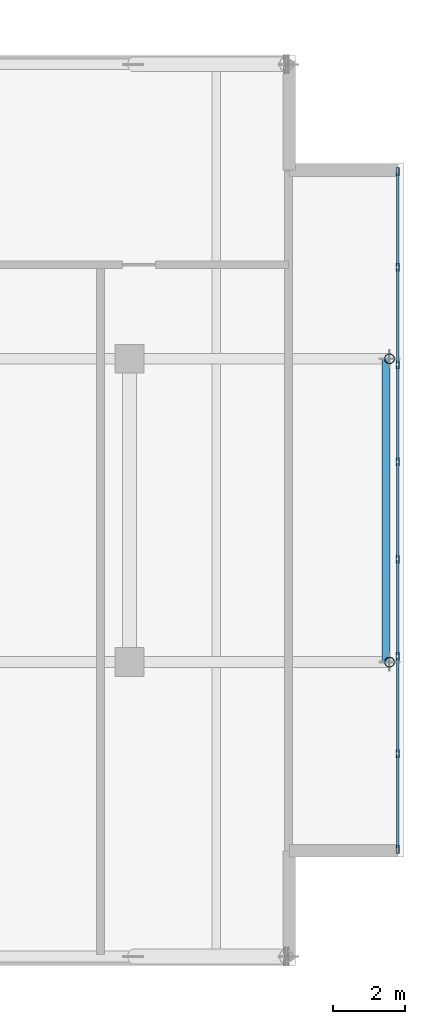
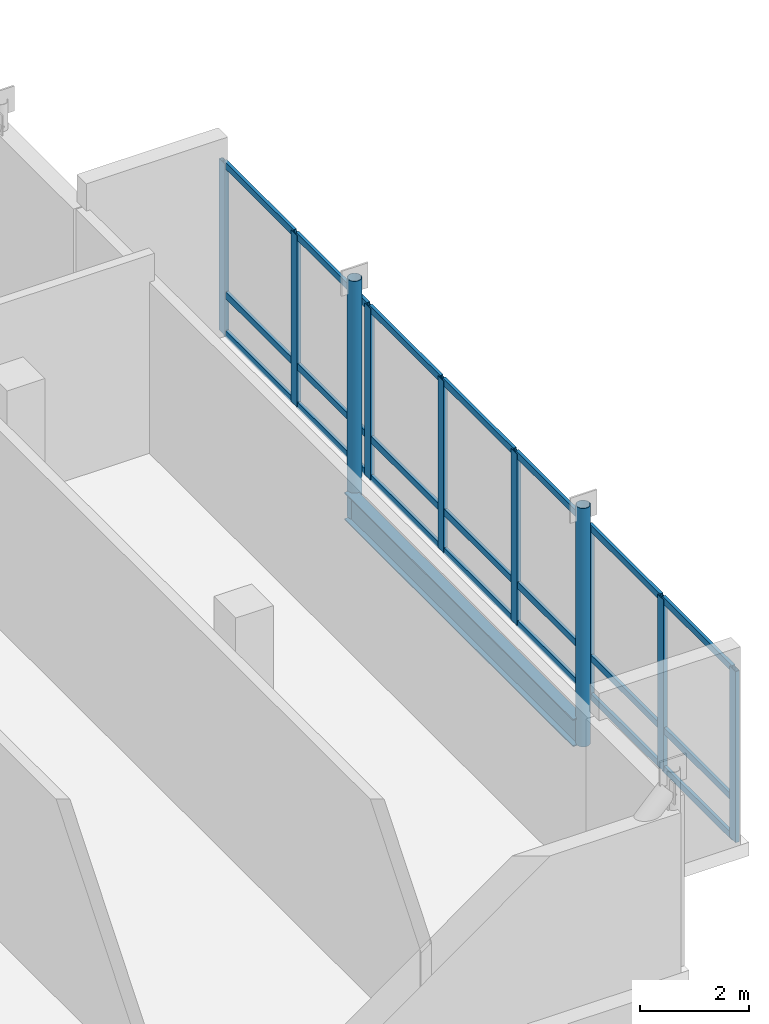
# One storey, part 6 of 18: 31 members, 1 beam, 1 element without a shape of its own.
"""IFC4 building model written with IfcOpenShell, lengths in metres."""

from ifc_helpers import new_model, si_unit, direction, frame, origin, origin_2d, place, context, subcontext, project, spatial, hollow_rectangle, hollow_circle, i_section, extrude, material, layer, layer_set, material_profile, profile_set, type_object, element, aggregate, save


model = new_model("IFC4")

# Units and contexts
model_context = context("Model", 3, precision=1e-05, world=origin(), true_north=direction((0.0, 1.0)))
body_context = subcontext(model_context, "Body", "Model", "MODEL_VIEW")
ifc_project = project(units=[si_unit("LENGTHUNIT", "METRE"), si_unit("AREAUNIT", "SQUARE_METRE"), si_unit("VOLUMEUNIT", "CUBIC_METRE"), si_unit("PLANEANGLEUNIT", "RADIAN"), si_unit("MASSUNIT", "GRAM", prefix="KILO")], contexts=[model_context])

# Site, building, storey
site_placement = place(None, origin())
site = spatial("IfcSite", under=ifc_project, at=site_placement, CompositionType="ELEMENT")
building_placement = place(site_placement, origin())
building = spatial("IfcBuilding", under=site, at=building_placement, Name="Koriwani Terraces Tower", CompositionType="ELEMENT")
storey_placement = place(building_placement, frame((0.0, 0.0, 363.800048828125)))
storey = spatial("IfcBuildingStorey", under=building, at=storey_placement, Name="L90", CompositionType="ELEMENT", Elevation=363.800048828125)

# Members
ifc_material_1 = material(Name="Steel ASTM A572 Grade 50", Category="steel")
ifc_material_profile_1 = material_profile(ifc_material_1, hollow_circle(Radius=0.136474609375, WallThickness=0.010009765625, at=origin_2d()), Name="Steel ASTM A572 Grade 50", Category="LoadBearing")
ifc_profile_set_1 = profile_set([ifc_material_profile_1], Name="Steel ASTM A572 Grade 50")
member_type_1 = type_object("IfcMemberType", Name="CROWN_FRAME_BRACE_CHS273X10", PredefinedType="USERDEFINED", material=ifc_profile_set_1)
for number, where, z_axis, x_axis, name in (
    (1, (74.39990234375, 16.800048828125, -0.900146484375), (0.0, 0.0, 1.0), (1.0, 0.0, 0.0), "L90 Sky-Lounge Tip Hanger Strut TP-01"),
    (2, (74.39990234375, 25.199951171875, -0.900146484375), (0.0, 0.0, 1.0), (1.0, 0.0, 0.0), "L90 Sky-Lounge Tip Hanger Strut TP-02"),
):
    element("IfcMember", number, at=place(storey_placement, frame(where, z_axis=z_axis, x_axis=x_axis)), inside=storey, type_object=member_type_1, Name=name, ObjectType="CROWN FRAME", PredefinedType="USERDEFINED", context=body_context, shape_type="SweptSolid", body=[
        extrude(hollow_circle(Radius=0.136474609375, WallThickness=0.010009765625, at=origin_2d()), origin(), (0.0, 0.0, 1.0), 5.35009765625),
    ])

# Curtain wall, members
ifc_material_2 = material(Name="Anodised Bronze Aluminium", Category="aluminium")
ifc_layer = layer(ifc_material_2, 0.219970703125, Name="Anodised Bronze Aluminium")
ifc_layer_set = layer_set([ifc_layer], Name="Anodised Bronze Aluminium")
curtain_wall_type = type_object("IfcCurtainWallType", Name="CW_SKY_LOUNGE", PredefinedType="NOTDEFINED", material=ifc_layer_set)
curtain_wall_placement = place(storey_placement, origin())
curtain_wall = element("IfcCurtainWall", 3, at=curtain_wall_placement, inside=storey, type_object=curtain_wall_type, Name="L90 Unitised Curtain Wall (E_TIP)", PredefinedType="NOTDEFINED")
ifc_material_profile_2 = material_profile(ifc_material_2, hollow_rectangle(XDim=0.0849609375, YDim=0.219970703125, WallThickness=0.008056640625, at=origin_2d()), Name="Anodised Bronze Aluminium", Category="LoadBearing")
ifc_profile_set_2 = profile_set([ifc_material_profile_2], Name="Anodised Bronze Aluminium")
member_type_2 = type_object("IfcMemberType", Name="CW_MULLION_220X85", PredefinedType="MULLION", material=ifc_profile_set_2)
member_1_placement = place(storey_placement, frame((74.625, 30.382568359375, 0.0), z_axis=(0.0, 0.0, 1.0), x_axis=(1.0, 0.0, 0.0)))
member_1 = element("IfcMember", 4, at=member_1_placement, type_object=member_type_2, Name="CW-SKY mullion 1", PredefinedType="MULLION", context=body_context, shape_type="SweptSolid", body=[
    extrude(hollow_rectangle(XDim=0.0849609375, YDim=0.219970703125, WallThickness=0.008056640625, at=origin_2d()), origin(), (0.0, 0.0, 1.0), 3.8388671875),
])
member_2_placement = place(storey_placement, frame((74.625, 27.732177734375, 0.0), z_axis=(0.0, 0.0, 1.0), x_axis=(1.0, 0.0, 0.0)))
member_2 = element("IfcMember", 5, at=member_2_placement, type_object=member_type_2, Name="CW-SKY mullion 2", PredefinedType="MULLION", context=body_context, shape_type="SweptSolid", body=[
    extrude(hollow_rectangle(XDim=0.0849609375, YDim=0.219970703125, WallThickness=0.008056640625, at=origin_2d()), origin(), (0.0, 0.0, 1.0), 3.8388671875),
])
member_3_placement = place(storey_placement, frame((74.625, 25.039306640625, 0.0), z_axis=(0.0, 0.0, 1.0), x_axis=(1.0, 0.0, 0.0)))
member_3 = element("IfcMember", 6, at=member_3_placement, type_object=member_type_2, Name="CW-SKY mullion 3", PredefinedType="MULLION", context=body_context, shape_type="SweptSolid", body=[
    extrude(hollow_rectangle(XDim=0.0849609375, YDim=0.219970703125, WallThickness=0.008056640625, at=origin_2d()), origin(), (0.0, 0.0, 1.0), 3.8388671875),
])
member_4_placement = place(storey_placement, frame((74.625, 22.346435546875, 0.0), z_axis=(0.0, 0.0, 1.0), x_axis=(1.0, 0.0, 0.0)))
member_4 = element("IfcMember", 7, at=member_4_placement, type_object=member_type_2, Name="CW-SKY mullion 4", PredefinedType="MULLION", context=body_context, shape_type="SweptSolid", body=[
    extrude(hollow_rectangle(XDim=0.0849609375, YDim=0.219970703125, WallThickness=0.008056640625, at=origin_2d()), origin(), (0.0, 0.0, 1.0), 3.8388671875),
])
member_5_placement = place(storey_placement, frame((74.625, 19.653564453125, 0.0), z_axis=(0.0, 0.0, 1.0), x_axis=(1.0, 0.0, 0.0)))
member_5 = element("IfcMember", 8, at=member_5_placement, type_object=member_type_2, Name="CW-SKY mullion 5", PredefinedType="MULLION", context=body_context, shape_type="SweptSolid", body=[
    extrude(hollow_rectangle(XDim=0.0849609375, YDim=0.219970703125, WallThickness=0.008056640625, at=origin_2d()), origin(), (0.0, 0.0, 1.0), 3.8388671875),
])
member_6_placement = place(storey_placement, frame((74.625, 16.960693359375, 0.0), z_axis=(0.0, 0.0, 1.0), x_axis=(1.0, 0.0, 0.0)))
member_6 = element("IfcMember", 9, at=member_6_placement, type_object=member_type_2, Name="CW-SKY mullion 6", PredefinedType="MULLION", context=body_context, shape_type="SweptSolid", body=[
    extrude(hollow_rectangle(XDim=0.0849609375, YDim=0.219970703125, WallThickness=0.008056640625, at=origin_2d()), origin(), (0.0, 0.0, 1.0), 3.8388671875),
])
member_7_placement = place(storey_placement, frame((74.625, 14.267822265625, 0.0), z_axis=(0.0, 0.0, 1.0), x_axis=(1.0, 0.0, 0.0)))
member_7 = element("IfcMember", 10, at=member_7_placement, type_object=member_type_2, Name="CW-SKY mullion 7", PredefinedType="MULLION", context=body_context, shape_type="SweptSolid", body=[
    extrude(hollow_rectangle(XDim=0.0849609375, YDim=0.219970703125, WallThickness=0.008056640625, at=origin_2d()), origin(), (0.0, 0.0, 1.0), 3.8388671875),
])
member_8_placement = place(storey_placement, frame((74.625, 11.617431640625, 0.0), z_axis=(0.0, 0.0, 1.0), x_axis=(1.0, 0.0, 0.0)))
member_8 = element("IfcMember", 11, at=member_8_placement, type_object=member_type_2, Name="CW-SKY mullion 8", PredefinedType="MULLION", context=body_context, shape_type="SweptSolid", body=[
    extrude(hollow_rectangle(XDim=0.0849609375, YDim=0.219970703125, WallThickness=0.008056640625, at=origin_2d()), origin(), (0.0, 0.0, 1.0), 3.8388671875),
])
ifc_material_profile_3 = material_profile(ifc_material_2, hollow_rectangle(XDim=0.06494140625, YDim=0.14990234375, WallThickness=0.0048828125, at=origin_2d()), Name="Anodised Bronze Aluminium", Category="LoadBearing")
ifc_profile_set_3 = profile_set([ifc_material_profile_3], Name="Anodised Bronze Aluminium")
member_type_3 = type_object("IfcMemberType", Name="CW_TRANSOM_150X65", PredefinedType="USERDEFINED", material=ifc_profile_set_3)
member_9_placement = place(storey_placement, frame((74.625, 30.340087890625, 0.032470703125), z_axis=(0.0, -1.0, 0.0), x_axis=(1.0, 0.0, 0.0)))
member_9 = element("IfcMember", 12, at=member_9_placement, type_object=member_type_3, Name="CW-SKY transom 1.1", ObjectType="TRANSOM", PredefinedType="USERDEFINED", context=body_context, shape_type="SweptSolid", body=[
    extrude(hollow_rectangle(XDim=0.06494140625, YDim=0.14990234375, WallThickness=0.0048828125, at=origin_2d()), origin(), (0.0, 0.0, 1.0), 2.5654296875),
])
member_10_placement = place(storey_placement, frame((74.625, 30.340087890625, 0.89990234375), z_axis=(0.0, -1.0, 0.0), x_axis=(1.0, 0.0, 0.0)))
member_10 = element("IfcMember", 13, at=member_10_placement, type_object=member_type_3, Name="CW-SKY transom 1.2", ObjectType="TRANSOM", PredefinedType="USERDEFINED", context=body_context, shape_type="SweptSolid", body=[
    extrude(hollow_rectangle(XDim=0.06494140625, YDim=0.14990234375, WallThickness=0.0048828125, at=origin_2d()), origin(), (0.0, 0.0, 1.0), 2.5654296875),
])
member_11_placement = place(storey_placement, frame((74.625, 30.340087890625, 3.806396484375), z_axis=(0.0, -1.0, 0.0), x_axis=(1.0, 0.0, 0.0)))
member_11 = element("IfcMember", 14, at=member_11_placement, type_object=member_type_3, Name="CW-SKY transom 1.3", ObjectType="TRANSOM", PredefinedType="USERDEFINED", context=body_context, shape_type="SweptSolid", body=[
    extrude(hollow_rectangle(XDim=0.06494140625, YDim=0.14990234375, WallThickness=0.0048828125, at=origin_2d()), origin(), (0.0, 0.0, 1.0), 2.5654296875),
])
member_12_placement = place(storey_placement, frame((74.625, 27.689697265625, 0.032470703125), z_axis=(0.0, -1.0, 0.0), x_axis=(1.0, 0.0, 0.0)))
member_12 = element("IfcMember", 15, at=member_12_placement, type_object=member_type_3, Name="CW-SKY transom 2.1", ObjectType="TRANSOM", PredefinedType="USERDEFINED", context=body_context, shape_type="SweptSolid", body=[
    extrude(hollow_rectangle(XDim=0.06494140625, YDim=0.14990234375, WallThickness=0.0048828125, at=origin_2d()), origin(), (0.0, 0.0, 1.0), 2.60791015625),
])
member_13_placement = place(storey_placement, frame((74.625, 27.689697265625, 0.89990234375), z_axis=(0.0, -1.0, 0.0), x_axis=(1.0, 0.0, 0.0)))
member_13 = element("IfcMember", 16, at=member_13_placement, type_object=member_type_3, Name="CW-SKY transom 2.2", ObjectType="TRANSOM", PredefinedType="USERDEFINED", context=body_context, shape_type="SweptSolid", body=[
    extrude(hollow_rectangle(XDim=0.06494140625, YDim=0.14990234375, WallThickness=0.0048828125, at=origin_2d()), origin(), (0.0, 0.0, 1.0), 2.60791015625),
])
member_14_placement = place(storey_placement, frame((74.625, 27.689697265625, 3.806396484375), z_axis=(0.0, -1.0, 0.0), x_axis=(1.0, 0.0, 0.0)))
member_14 = element("IfcMember", 17, at=member_14_placement, type_object=member_type_3, Name="CW-SKY transom 2.3", ObjectType="TRANSOM", PredefinedType="USERDEFINED", context=body_context, shape_type="SweptSolid", body=[
    extrude(hollow_rectangle(XDim=0.06494140625, YDim=0.14990234375, WallThickness=0.0048828125, at=origin_2d()), origin(), (0.0, 0.0, 1.0), 2.60791015625),
])
member_15_placement = place(storey_placement, frame((74.625, 24.996826171875, 0.032470703125), z_axis=(0.0, -1.0, 0.0), x_axis=(1.0, 0.0, 0.0)))
member_15 = element("IfcMember", 18, at=member_15_placement, type_object=member_type_3, Name="CW-SKY transom 3.1", ObjectType="TRANSOM", PredefinedType="USERDEFINED", context=body_context, shape_type="SweptSolid", body=[
    extrude(hollow_rectangle(XDim=0.06494140625, YDim=0.14990234375, WallThickness=0.0048828125, at=origin_2d()), origin(), (0.0, 0.0, 1.0), 2.60791015625),
])
member_16_placement = place(storey_placement, frame((74.625, 24.996826171875, 0.89990234375), z_axis=(0.0, -1.0, 0.0), x_axis=(1.0, 0.0, 0.0)))
member_16 = element("IfcMember", 19, at=member_16_placement, type_object=member_type_3, Name="CW-SKY transom 3.2", ObjectType="TRANSOM", PredefinedType="USERDEFINED", context=body_context, shape_type="SweptSolid", body=[
    extrude(hollow_rectangle(XDim=0.06494140625, YDim=0.14990234375, WallThickness=0.0048828125, at=origin_2d()), origin(), (0.0, 0.0, 1.0), 2.60791015625),
])
member_17_placement = place(storey_placement, frame((74.625, 24.996826171875, 3.806396484375), z_axis=(0.0, -1.0, 0.0), x_axis=(1.0, 0.0, 0.0)))
member_17 = element("IfcMember", 20, at=member_17_placement, type_object=member_type_3, Name="CW-SKY transom 3.3", ObjectType="TRANSOM", PredefinedType="USERDEFINED", context=body_context, shape_type="SweptSolid", body=[
    extrude(hollow_rectangle(XDim=0.06494140625, YDim=0.14990234375, WallThickness=0.0048828125, at=origin_2d()), origin(), (0.0, 0.0, 1.0), 2.60791015625),
])
member_18_placement = place(storey_placement, frame((74.625, 22.303955078125, 0.032470703125), z_axis=(0.0, -1.0, 0.0), x_axis=(1.0, 0.0, 0.0)))
member_18 = element("IfcMember", 21, at=member_18_placement, type_object=member_type_3, Name="CW-SKY transom 4.1", ObjectType="TRANSOM", PredefinedType="USERDEFINED", context=body_context, shape_type="SweptSolid", body=[
    extrude(hollow_rectangle(XDim=0.06494140625, YDim=0.14990234375, WallThickness=0.0048828125, at=origin_2d()), origin(), (0.0, 0.0, 1.0), 2.60791015625),
])
member_19_placement = place(storey_placement, frame((74.625, 22.303955078125, 0.89990234375), z_axis=(0.0, -1.0, 0.0), x_axis=(1.0, 0.0, 0.0)))
member_19 = element("IfcMember", 22, at=member_19_placement, type_object=member_type_3, Name="CW-SKY transom 4.2", ObjectType="TRANSOM", PredefinedType="USERDEFINED", context=body_context, shape_type="SweptSolid", body=[
    extrude(hollow_rectangle(XDim=0.06494140625, YDim=0.14990234375, WallThickness=0.0048828125, at=origin_2d()), origin(), (0.0, 0.0, 1.0), 2.60791015625),
])
member_20_placement = place(storey_placement, frame((74.625, 22.303955078125, 3.806396484375), z_axis=(0.0, -1.0, 0.0), x_axis=(1.0, 0.0, 0.0)))
member_20 = element("IfcMember", 23, at=member_20_placement, type_object=member_type_3, Name="CW-SKY transom 4.3", ObjectType="TRANSOM", PredefinedType="USERDEFINED", context=body_context, shape_type="SweptSolid", body=[
    extrude(hollow_rectangle(XDim=0.06494140625, YDim=0.14990234375, WallThickness=0.0048828125, at=origin_2d()), origin(), (0.0, 0.0, 1.0), 2.60791015625),
])
member_21_placement = place(storey_placement, frame((74.625, 19.611083984375, 0.032470703125), z_axis=(0.0, -1.0, 0.0), x_axis=(1.0, 0.0, 0.0)))
member_21 = element("IfcMember", 24, at=member_21_placement, type_object=member_type_3, Name="CW-SKY transom 5.1", ObjectType="TRANSOM", PredefinedType="USERDEFINED", context=body_context, shape_type="SweptSolid", body=[
    extrude(hollow_rectangle(XDim=0.06494140625, YDim=0.14990234375, WallThickness=0.0048828125, at=origin_2d()), origin(), (0.0, 0.0, 1.0), 2.60791015625),
])
member_22_placement = place(storey_placement, frame((74.625, 19.611083984375, 0.89990234375), z_axis=(0.0, -1.0, 0.0), x_axis=(1.0, 0.0, 0.0)))
member_22 = element("IfcMember", 25, at=member_22_placement, type_object=member_type_3, Name="CW-SKY transom 5.2", ObjectType="TRANSOM", PredefinedType="USERDEFINED", context=body_context, shape_type="SweptSolid", body=[
    extrude(hollow_rectangle(XDim=0.06494140625, YDim=0.14990234375, WallThickness=0.0048828125, at=origin_2d()), origin(), (0.0, 0.0, 1.0), 2.60791015625),
])
member_23_placement = place(storey_placement, frame((74.625, 19.611083984375, 3.806396484375), z_axis=(0.0, -1.0, 0.0), x_axis=(1.0, 0.0, 0.0)))
member_23 = element("IfcMember", 26, at=member_23_placement, type_object=member_type_3, Name="CW-SKY transom 5.3", ObjectType="TRANSOM", PredefinedType="USERDEFINED", context=body_context, shape_type="SweptSolid", body=[
    extrude(hollow_rectangle(XDim=0.06494140625, YDim=0.14990234375, WallThickness=0.0048828125, at=origin_2d()), origin(), (0.0, 0.0, 1.0), 2.60791015625),
])
member_24_placement = place(storey_placement, frame((74.625, 16.918212890625, 0.032470703125), z_axis=(0.0, -1.0, 0.0), x_axis=(1.0, 0.0, 0.0)))
member_24 = element("IfcMember", 27, at=member_24_placement, type_object=member_type_3, Name="CW-SKY transom 6.1", ObjectType="TRANSOM", PredefinedType="USERDEFINED", context=body_context, shape_type="SweptSolid", body=[
    extrude(hollow_rectangle(XDim=0.06494140625, YDim=0.14990234375, WallThickness=0.0048828125, at=origin_2d()), origin(), (0.0, 0.0, 1.0), 2.60791015625),
])
member_25_placement = place(storey_placement, frame((74.625, 16.918212890625, 0.89990234375), z_axis=(0.0, -1.0, 0.0), x_axis=(1.0, 0.0, 0.0)))
member_25 = element("IfcMember", 28, at=member_25_placement, type_object=member_type_3, Name="CW-SKY transom 6.2", ObjectType="TRANSOM", PredefinedType="USERDEFINED", context=body_context, shape_type="SweptSolid", body=[
    extrude(hollow_rectangle(XDim=0.06494140625, YDim=0.14990234375, WallThickness=0.0048828125, at=origin_2d()), origin(), (0.0, 0.0, 1.0), 2.60791015625),
])
member_26_placement = place(storey_placement, frame((74.625, 16.918212890625, 3.806396484375), z_axis=(0.0, -1.0, 0.0), x_axis=(1.0, 0.0, 0.0)))
member_26 = element("IfcMember", 29, at=member_26_placement, type_object=member_type_3, Name="CW-SKY transom 6.3", ObjectType="TRANSOM", PredefinedType="USERDEFINED", context=body_context, shape_type="SweptSolid", body=[
    extrude(hollow_rectangle(XDim=0.06494140625, YDim=0.14990234375, WallThickness=0.0048828125, at=origin_2d()), origin(), (0.0, 0.0, 1.0), 2.60791015625),
])
member_27_placement = place(storey_placement, frame((74.625, 14.225341796875, 0.032470703125), z_axis=(0.0, -1.0, 0.0), x_axis=(1.0, 0.0, 0.0)))
member_27 = element("IfcMember", 30, at=member_27_placement, type_object=member_type_3, Name="CW-SKY transom 7.1", ObjectType="TRANSOM", PredefinedType="USERDEFINED", context=body_context, shape_type="SweptSolid", body=[
    extrude(hollow_rectangle(XDim=0.06494140625, YDim=0.14990234375, WallThickness=0.0048828125, at=origin_2d()), origin(), (0.0, 0.0, 1.0), 2.5654296875),
])
member_28_placement = place(storey_placement, frame((74.625, 14.225341796875, 0.89990234375), z_axis=(0.0, -1.0, 0.0), x_axis=(1.0, 0.0, 0.0)))
member_28 = element("IfcMember", 31, at=member_28_placement, type_object=member_type_3, Name="CW-SKY transom 7.2", ObjectType="TRANSOM", PredefinedType="USERDEFINED", context=body_context, shape_type="SweptSolid", body=[
    extrude(hollow_rectangle(XDim=0.06494140625, YDim=0.14990234375, WallThickness=0.0048828125, at=origin_2d()), origin(), (0.0, 0.0, 1.0), 2.5654296875),
])
member_29_placement = place(storey_placement, frame((74.625, 14.225341796875, 3.806396484375), z_axis=(0.0, -1.0, 0.0), x_axis=(1.0, 0.0, 0.0)))
member_29 = element("IfcMember", 32, at=member_29_placement, type_object=member_type_3, Name="CW-SKY transom 7.3", ObjectType="TRANSOM", PredefinedType="USERDEFINED", context=body_context, shape_type="SweptSolid", body=[
    extrude(hollow_rectangle(XDim=0.06494140625, YDim=0.14990234375, WallThickness=0.0048828125, at=origin_2d()), origin(), (0.0, 0.0, 1.0), 2.5654296875),
])
aggregate(curtain_wall, [member_1, member_2, member_3, member_4, member_5, member_6, member_7, member_8, member_9, member_10, member_11, member_12, member_13, member_14, member_15, member_16, member_17, member_18, member_19, member_20, member_21, member_22, member_23, member_24, member_25, member_26, member_27, member_28, member_29])

# Beam
ifc_material_profile_4 = material_profile(ifc_material_1, i_section(OverallWidth=0.23095703125, OverallDepth=0.616943359375, WebThickness=0.015380859375, FlangeThickness=0.0244140625, at=origin_2d()), Name="Steel ASTM A572 Grade 50", Category="LoadBearing")
ifc_profile_set_4 = profile_set([ifc_material_profile_4], Name="Steel ASTM A572 Grade 50")
beam_type = type_object("IfcBeamType", Name="STEEL_BEAM_W610X195", PredefinedType="BEAM", material=ifc_profile_set_4)
beam_placement = place(storey_placement, frame((74.300048828125, 16.800048828125, -0.608642578125), z_axis=(0.0, 1.0, 0.0), x_axis=(-1.0, 0.0, 0.0)))
element("IfcBeam", 33, at=beam_placement, inside=storey, type_object=beam_type, Name="L90 Sky-Lounge Cantilever Transverse Floor Beam X=74.3m", PredefinedType="BEAM", context=body_context, shape_type="SweptSolid", body=[
    extrude(i_section(OverallWidth=0.23095703125, OverallDepth=0.616943359375, WebThickness=0.015380859375, FlangeThickness=0.0244140625, at=origin_2d()), origin(), (0.0, 0.0, 1.0), 8.39990234375),
])

save(model, "model.ifc")
